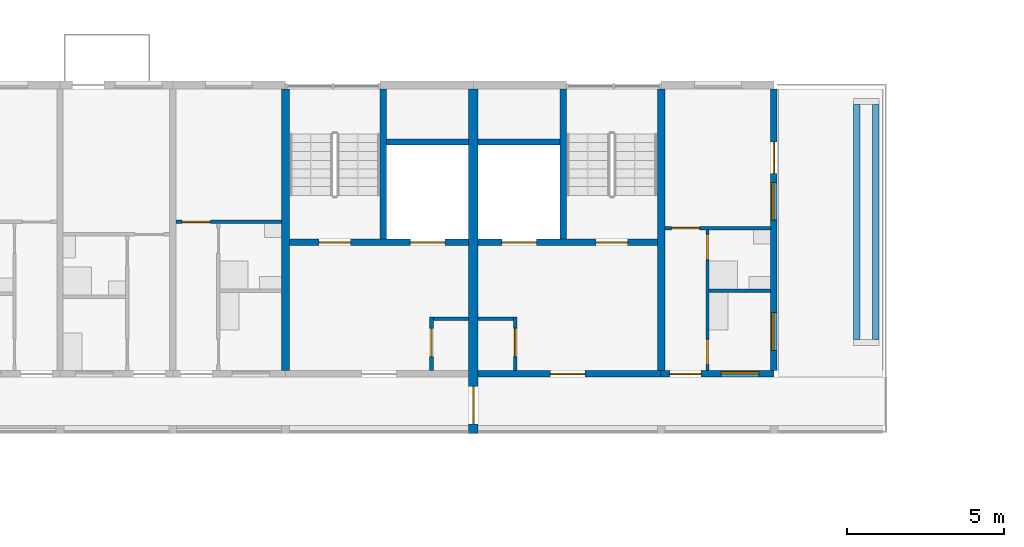
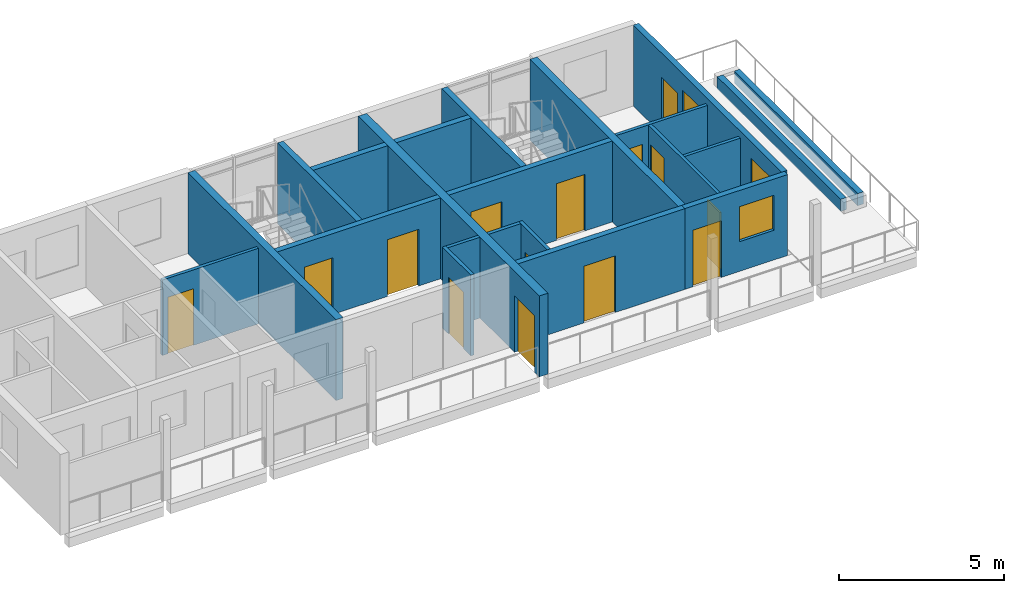
# One storey, part 57 of 94: 22 walls, 14 doors, 3 windows, 17 openings.
"""IFC4 building model written with IfcOpenShell, lengths in metres."""

from ifc_helpers import new_model, si_unit, direction, frame, frame_2d, origin, place, context, subcontext, project, spatial, rectangle, extrude, material, layer, layer_set, type_object, element, fill, save


model = new_model("IFC4")

# Units and contexts
model_context = context("Model", 3, precision=1e-05, world=origin(), true_north=direction((0.0, 1.0)))
body_context = subcontext(model_context, "Body", "Model", "MODEL_VIEW")
ifc_project = project(units=[si_unit("LENGTHUNIT", "METRE"), si_unit("AREAUNIT", "SQUARE_METRE"), si_unit("VOLUMEUNIT", "CUBIC_METRE"), si_unit("PLANEANGLEUNIT", "RADIAN"), si_unit("MASSUNIT", "GRAM", prefix="KILO")], contexts=[model_context])

# Site, building, storey
site_placement = place(None, origin())
site = spatial("IfcSite", under=ifc_project, at=site_placement, CompositionType="ELEMENT")
building_placement = place(site_placement, origin())
building = spatial("IfcBuilding", under=site, at=building_placement, Name="Ridgestep Commons", CompositionType="ELEMENT")
storey_placement = place(building_placement, frame((0.0, 0.0, 24.0)))
storey = spatial("IfcBuildingStorey", under=building, at=storey_placement, Name="L08", CompositionType="ELEMENT", Elevation=24.0)

# Walls
ifc_material_1 = material(Name="Concrete C30/37", Category="concrete")
ifc_layer_1 = layer(ifc_material_1, 0.25)
ifc_layer_set_1 = layer_set([ifc_layer_1], Name="Core cross wall 250")
wall_type_1 = type_object("IfcWallType", Name="Core cross wall 250", PredefinedType="SHEAR", material=ifc_layer_set_1)
for number, where, z_axis, x_axis, name in (
    (1, (224.800048828125, 68.0, 0.0), (0.0, 0.0, 1.0), (0.0, 1.0, 0.0), "Cross wall C-08-2248"),
    (2, (236.800048828125, 68.0, 0.0), (0.0, 0.0, 1.0), (0.0, 1.0, 0.0), "Cross wall C-08-2368"),
):
    element("IfcWall", number, at=place(storey_placement, frame(where, z_axis=z_axis, x_axis=x_axis)), inside=storey, type_object=wall_type_1, Name=name, PredefinedType="SHEAR", context=body_context, shape_type="SweptSolid", body=[
        extrude(rectangle(XDim=9.0, YDim=0.25, at=frame_2d((4.5, 0.0))), origin(), (0.0, 0.0, 1.0), 3.0),
    ])

# Wall, opening, door
ifc_material_2 = material(Name="Concrete C30/37", Category="concrete")
ifc_layer_2 = layer(ifc_material_2, 0.199951171875)
ifc_layer_set_2 = layer_set([ifc_layer_2], Name="Core south wall 200")
wall_type_2 = type_object("IfcWallType", Name="Core south wall 200", PredefinedType="SHEAR", material=ifc_layer_set_2)
wall_1_placement = place(storey_placement, frame((230.949951171875, 67.89990234375, 0.0), z_axis=(0.0, 0.0, 1.0), x_axis=(1.0, 0.0, 0.0)))
wall_1 = element("IfcWall", 3, at=wall_1_placement, inside=storey, type_object=wall_type_2, Name="Core south wall C6C L08", PredefinedType="SHEAR", context=body_context, shape_type="SweptSolid", body=[
    extrude(rectangle(XDim=5.85009765625, YDim=0.199951171875, at=frame_2d((2.925048828125, 0.0))), origin(), (0.0, 0.0, 1.0), 3.0),
])
opening_1_placement = place(wall_1_placement, frame((2.3125, 0.0, 0.0)))
opening_1 = element("IfcOpeningElement", 4, at=opening_1_placement, cuts=wall_1, Name="Opening C6C/08/1", PredefinedType="OPENING", context=body_context, shape_type="SweptSolid", body=[
    extrude(rectangle(XDim=1.10009765625, YDim=2.10009765625, at=frame_2d((0.550048828125, 1.050048828125))), frame((0.0, 0.10986328125, 0.0), z_axis=(0.0, -1.0, 0.0), x_axis=(1.0, 0.0, 0.0)), (0.0, 0.0, 1.0), 0.219970703125),
])
ifc_material_3 = material(Name="Steel fire door", Category="steel")
door_type_1 = type_object("IfcDoorType", Name="Lobby door 1100 x 2100 FD60", OperationType="NOTDEFINED", PredefinedType="DOOR", material=ifc_material_3)
door_1_placement = place(opening_1_placement, origin())
door_1 = element("IfcDoor", 5, at=door_1_placement, inside=storey, type_object=door_type_1, Name="Lobby door C6C/08/1", OperationType="SINGLE_SWING_LEFT", OverallHeight=2.10009765625, OverallWidth=1.10009765625, PredefinedType="DOOR", context=body_context, shape_type="SweptSolid", body=[
    extrude(rectangle(XDim=1.10009765625, YDim=2.10009765625, at=frame_2d((0.550048828125, 1.050048828125))), frame((0.0, 0.02490234375, 0.0), z_axis=(0.0, -1.0, 0.0), x_axis=(1.0, 0.0, 0.0)), (0.0, 0.0, 1.0), 0.050048828125),
])
fill(opening_1, door_1)

ifc_material_4 = material(Name="Concrete C30/37", Category="concrete")
ifc_layer_3 = layer(ifc_material_4, 0.1201171875)
ifc_layer_set_3 = layer_set([ifc_layer_3], Name="Core wall 120")
wall_type_3 = type_object("IfcWallType", Name="Core wall 120", PredefinedType="SHEAR", material=ifc_layer_set_3)
wall_2_placement = place(storey_placement, frame((229.4599609375, 68.0, 0.0), z_axis=(0.0, 0.0, 1.0), x_axis=(0.0, 1.0, 0.0)))
wall_2 = element("IfcWall", 6, at=wall_2_placement, inside=storey, type_object=wall_type_3, Name="Core riser w wall C5C L08", PredefinedType="SHEAR", context=body_context, shape_type="SweptSolid", body=[
    extrude(rectangle(XDim=1.719970703125, YDim=0.1201171875, at=frame_2d((0.85986328125, 0.0))), origin(), (0.0, 0.0, 1.0), 3.0),
])
opening_2_placement = place(wall_2_placement, frame((0.449951171875, 0.0, 0.0)))
opening_2 = element("IfcOpeningElement", 7, at=opening_2_placement, cuts=wall_2, Name="Opening C5C/08/4", PredefinedType="OPENING", context=body_context, shape_type="SweptSolid", body=[
    extrude(rectangle(XDim=0.89990234375, YDim=2.10009765625, at=frame_2d((0.449951171875, 1.050048828125))), frame((0.0, 0.070068359375, 0.0), z_axis=(0.0, -1.0, 0.0), x_axis=(1.0, 0.0, 0.0)), (0.0, 0.0, 1.0), 0.14013671875),
])
ifc_material_5 = material(Name="Steel fire door", Category="steel")
door_type_2 = type_object("IfcDoorType", Name="Riser door 900 x 2100 FD60", OperationType="NOTDEFINED", PredefinedType="DOOR", material=ifc_material_5)
door_2_placement = place(opening_2_placement, origin())
door_2 = element("IfcDoor", 8, at=door_2_placement, inside=storey, type_object=door_type_2, Name="Riser door C5C/08/4", OperationType="SINGLE_SWING_LEFT", OverallHeight=2.10009765625, OverallWidth=0.89990234375, PredefinedType="DOOR", context=body_context, shape_type="SweptSolid", body=[
    extrude(rectangle(XDim=0.89990234375, YDim=2.10009765625, at=frame_2d((0.449951171875, 1.050048828125))), frame((0.0, 0.02490234375, 0.0), z_axis=(0.0, -1.0, 0.0), x_axis=(1.0, 0.0, 0.0)), (0.0, 0.0, 1.0), 0.050048828125),
])
fill(opening_2, door_2)

# Wall
wall_3_placement = place(storey_placement, frame((229.52001953125, 69.659912109375, 0.0), z_axis=(0.0, 0.0, 1.0), x_axis=(1.0, 0.0, 0.0)))
element("IfcWall", 9, at=wall_3_placement, inside=storey, type_object=wall_type_3, Name="Core riser n wall C5C L08", PredefinedType="SHEAR", context=body_context, shape_type="SweptSolid", body=[
    extrude(rectangle(XDim=1.1298828125, YDim=0.1201171875, at=frame_2d((0.56494140625, 0.0))), origin(), (0.0, 0.0, 1.0), 3.0),
])

# Wall, opening, door
wall_4_placement = place(storey_placement, frame((232.139892578125, 68.0, 0.0), z_axis=(0.0, 0.0, 1.0), x_axis=(0.0, 1.0, 0.0)))
wall_4 = element("IfcWall", 10, at=wall_4_placement, inside=storey, type_object=wall_type_3, Name="Core riser w wall C6C L08", PredefinedType="SHEAR", context=body_context, shape_type="SweptSolid", body=[
    extrude(rectangle(XDim=1.719970703125, YDim=0.1201171875, at=frame_2d((0.85986328125, 0.0))), origin(), (0.0, 0.0, 1.0), 3.0),
])
opening_3_placement = place(wall_4_placement, frame((0.449951171875, 0.0, 0.0)))
opening_3 = element("IfcOpeningElement", 11, at=opening_3_placement, cuts=wall_4, Name="Opening C6C/08/4", PredefinedType="OPENING", context=body_context, shape_type="SweptSolid", body=[
    extrude(rectangle(XDim=0.89990234375, YDim=2.10009765625, at=frame_2d((0.449951171875, 1.050048828125))), frame((0.0, 0.070068359375, 0.0), z_axis=(0.0, -1.0, 0.0), x_axis=(1.0, 0.0, 0.0)), (0.0, 0.0, 1.0), 0.14013671875),
])
door_3_placement = place(opening_3_placement, origin())
door_3 = element("IfcDoor", 12, at=door_3_placement, inside=storey, type_object=door_type_2, Name="Riser door C6C/08/4", OperationType="SINGLE_SWING_RIGHT", OverallHeight=2.10009765625, OverallWidth=0.89990234375, PredefinedType="DOOR", context=body_context, shape_type="SweptSolid", body=[
    extrude(rectangle(XDim=0.89990234375, YDim=2.10009765625, at=frame_2d((0.449951171875, 1.050048828125))), frame((0.0, 0.02490234375, 0.0), z_axis=(0.0, -1.0, 0.0), x_axis=(1.0, 0.0, 0.0)), (0.0, 0.0, 1.0), 0.050048828125),
])
fill(opening_3, door_3)

# Wall
wall_5_placement = place(storey_placement, frame((230.949951171875, 69.659912109375, 0.0), z_axis=(0.0, 0.0, 1.0), x_axis=(1.0, 0.0, 0.0)))
element("IfcWall", 13, at=wall_5_placement, inside=storey, type_object=wall_type_3, Name="Core riser n wall C6C L08", PredefinedType="SHEAR", context=body_context, shape_type="SweptSolid", body=[
    extrude(rectangle(XDim=1.130126953125, YDim=0.1201171875, at=frame_2d((0.56494140625, 0.0))), origin(), (0.0, 0.0, 1.0), 3.0),
])

# Wall, openings, doors
ifc_material_6 = material(Name="Concrete C30/37", Category="concrete")
ifc_layer_4 = layer(ifc_material_6, 0.199951171875)
ifc_layer_set_4 = layer_set([ifc_layer_4], Name="Core wall 200")
wall_type_4 = type_object("IfcWallType", Name="Core wall 200", PredefinedType="SHEAR", material=ifc_layer_set_4)
wall_6_placement = place(storey_placement, frame((224.925048828125, 72.10009765625, 0.0), z_axis=(0.0, 0.0, 1.0), x_axis=(1.0, 0.0, 0.0)))
wall_6 = element("IfcWall", 14, at=wall_6_placement, inside=storey, type_object=wall_type_4, Name="Core lobby wall C5C L08", PredefinedType="SHEAR", context=body_context, shape_type="SweptSolid", body=[
    extrude(rectangle(XDim=5.724853515625, YDim=0.199951171875, at=frame_2d((2.8623046875, 0.0))), origin(), (0.0, 0.0, 1.0), 3.0),
])
opening_4_placement = place(wall_6_placement, frame((0.949951171875, 0.0, 0.0)))
opening_4 = element("IfcOpeningElement", 15, at=opening_4_placement, cuts=wall_6, Name="Opening C5C/08/2", PredefinedType="OPENING", context=body_context, shape_type="SweptSolid", body=[
    extrude(rectangle(XDim=1.0, YDim=2.10009765625, at=frame_2d((0.5, 1.050048828125))), frame((0.0, 0.10986328125, 0.0), z_axis=(0.0, -1.0, 0.0), x_axis=(1.0, 0.0, 0.0)), (0.0, 0.0, 1.0), 0.219970703125),
])
opening_5_placement = place(wall_6_placement, frame((3.862548828125, 0.0, 0.0)))
opening_5 = element("IfcOpeningElement", 16, at=opening_5_placement, cuts=wall_6, Name="Opening C5C/08/3", PredefinedType="OPENING", context=body_context, shape_type="SweptSolid", body=[
    extrude(rectangle(XDim=1.10009765625, YDim=2.10009765625, at=frame_2d((0.550048828125, 1.050048828125))), frame((0.0, 0.10986328125, 0.0), z_axis=(0.0, -1.0, 0.0), x_axis=(1.0, 0.0, 0.0)), (0.0, 0.0, 1.0), 0.219970703125),
])
ifc_material_7 = material(Name="Stainless steel", Category="steel")
door_type_3 = type_object("IfcDoorType", Name="Lift landing door 1100 x 2100 FD60", OperationType="DOUBLE_DOOR_SLIDING", PredefinedType="DOOR", material=ifc_material_7)
door_4_placement = place(opening_5_placement, origin())
door_4 = element("IfcDoor", 17, at=door_4_placement, inside=storey, type_object=door_type_3, Name="Landing door LD C5C L08", OperationType="DOUBLE_DOOR_SLIDING", OverallHeight=2.10009765625, OverallWidth=1.10009765625, PredefinedType="DOOR", context=body_context, shape_type="SweptSolid", body=[
    extrude(rectangle(XDim=1.10009765625, YDim=2.10009765625, at=frame_2d((0.550048828125, 1.050048828125))), frame((0.0, 0.02490234375, 0.0), z_axis=(0.0, -1.0, 0.0), x_axis=(1.0, 0.0, 0.0)), (0.0, 0.0, 1.0), 0.050048828125),
])
fill(opening_5, door_4)
ifc_material_8 = material(Name="Steel fire door", Category="steel")
door_type_4 = type_object("IfcDoorType", Name="Stair door 1000 x 2100 FD60", OperationType="NOTDEFINED", PredefinedType="DOOR", material=ifc_material_8)
door_5_placement = place(opening_4_placement, origin())
door_5 = element("IfcDoor", 18, at=door_5_placement, inside=storey, type_object=door_type_4, Name="Stair door C5C/08/2", OperationType="SINGLE_SWING_RIGHT", OverallHeight=2.10009765625, OverallWidth=1.0, PredefinedType="DOOR", context=body_context, shape_type="SweptSolid", body=[
    extrude(rectangle(XDim=1.0, YDim=2.10009765625, at=frame_2d((0.5, 1.050048828125))), frame((0.0, 0.02490234375, 0.0), z_axis=(0.0, -1.0, 0.0), x_axis=(1.0, 0.0, 0.0)), (0.0, 0.0, 1.0), 0.050048828125),
])
fill(opening_4, door_5)

# Walls
wall_7_placement = place(storey_placement, frame((227.925048828125, 72.199951171875, 0.0), z_axis=(0.0, 0.0, 1.0), x_axis=(0.0, 1.0, 0.0)))
element("IfcWall", 19, at=wall_7_placement, inside=storey, type_object=wall_type_4, Name="Core stair wall C5C L08", PredefinedType="SHEAR", context=body_context, shape_type="SweptSolid", body=[
    extrude(rectangle(XDim=4.800048828125, YDim=0.199951171875, at=frame_2d((2.39990234375, 0.0))), origin(), (0.0, 0.0, 1.0), 3.0),
])
wall_8_placement = place(storey_placement, frame((228.02490234375, 75.300048828125, 0.0), z_axis=(0.0, 0.0, 1.0), x_axis=(1.0, 0.0, 0.0)))
element("IfcWall", 20, at=wall_8_placement, inside=storey, type_object=wall_type_4, Name="Core duct wall C5C L08", PredefinedType="SHEAR", context=body_context, shape_type="SweptSolid", body=[
    extrude(rectangle(XDim=2.625, YDim=0.199951171875, at=frame_2d((1.3125, 0.0))), origin(), (0.0, 0.0, 1.0), 3.0),
])

# Wall, openings, doors
wall_9_placement = place(storey_placement, frame((230.949951171875, 72.10009765625, 0.0), z_axis=(0.0, 0.0, 1.0), x_axis=(1.0, 0.0, 0.0)))
wall_9 = element("IfcWall", 21, at=wall_9_placement, inside=storey, type_object=wall_type_4, Name="Core lobby wall C6C L08", PredefinedType="SHEAR", context=body_context, shape_type="SweptSolid", body=[
    extrude(rectangle(XDim=5.72509765625, YDim=0.199951171875, at=frame_2d((2.862548828125, 0.0))), origin(), (0.0, 0.0, 1.0), 3.0),
])
opening_6_placement = place(wall_9_placement, frame((3.77490234375, 0.0, 0.0)))
opening_6 = element("IfcOpeningElement", 22, at=opening_6_placement, cuts=wall_9, Name="Opening C6C/08/2", PredefinedType="OPENING", context=body_context, shape_type="SweptSolid", body=[
    extrude(rectangle(XDim=1.0, YDim=2.10009765625, at=frame_2d((0.5, 1.050048828125))), frame((0.0, 0.10986328125, 0.0), z_axis=(0.0, -1.0, 0.0), x_axis=(1.0, 0.0, 0.0)), (0.0, 0.0, 1.0), 0.219970703125),
])
opening_7_placement = place(wall_9_placement, frame((0.762451171875, 0.0, 0.0)))
opening_7 = element("IfcOpeningElement", 23, at=opening_7_placement, cuts=wall_9, Name="Opening C6C/08/3", PredefinedType="OPENING", context=body_context, shape_type="SweptSolid", body=[
    extrude(rectangle(XDim=1.10009765625, YDim=2.10009765625, at=frame_2d((0.550048828125, 1.050048828125))), frame((0.0, 0.10986328125, 0.0), z_axis=(0.0, -1.0, 0.0), x_axis=(1.0, 0.0, 0.0)), (0.0, 0.0, 1.0), 0.219970703125),
])
door_6_placement = place(opening_7_placement, origin())
door_6 = element("IfcDoor", 24, at=door_6_placement, inside=storey, type_object=door_type_3, Name="Landing door LD C6C L08", OperationType="DOUBLE_DOOR_SLIDING", OverallHeight=2.10009765625, OverallWidth=1.10009765625, PredefinedType="DOOR", context=body_context, shape_type="SweptSolid", body=[
    extrude(rectangle(XDim=1.10009765625, YDim=2.10009765625, at=frame_2d((0.550048828125, 1.050048828125))), frame((0.0, 0.02490234375, 0.0), z_axis=(0.0, -1.0, 0.0), x_axis=(1.0, 0.0, 0.0)), (0.0, 0.0, 1.0), 0.050048828125),
])
fill(opening_7, door_6)
door_7_placement = place(opening_6_placement, origin())
door_7 = element("IfcDoor", 25, at=door_7_placement, inside=storey, type_object=door_type_4, Name="Stair door C6C/08/2", OperationType="SINGLE_SWING_RIGHT", OverallHeight=2.10009765625, OverallWidth=1.0, PredefinedType="DOOR", context=body_context, shape_type="SweptSolid", body=[
    extrude(rectangle(XDim=1.0, YDim=2.10009765625, at=frame_2d((0.5, 1.050048828125))), frame((0.0, 0.02490234375, 0.0), z_axis=(0.0, -1.0, 0.0), x_axis=(1.0, 0.0, 0.0)), (0.0, 0.0, 1.0), 0.050048828125),
])
fill(opening_6, door_7)

# Walls
wall_10_placement = place(storey_placement, frame((233.675048828125, 72.199951171875, 0.0), z_axis=(0.0, 0.0, 1.0), x_axis=(0.0, 1.0, 0.0)))
element("IfcWall", 26, at=wall_10_placement, inside=storey, type_object=wall_type_4, Name="Core stair wall C6C L08", PredefinedType="SHEAR", context=body_context, shape_type="SweptSolid", body=[
    extrude(rectangle(XDim=4.800048828125, YDim=0.199951171875, at=frame_2d((2.39990234375, 0.0))), origin(), (0.0, 0.0, 1.0), 3.0),
])
wall_11_placement = place(storey_placement, frame((230.949951171875, 75.300048828125, 0.0), z_axis=(0.0, 0.0, 1.0), x_axis=(1.0, 0.0, 0.0)))
element("IfcWall", 27, at=wall_11_placement, inside=storey, type_object=wall_type_4, Name="Core duct wall C6C L08", PredefinedType="SHEAR", context=body_context, shape_type="SweptSolid", body=[
    extrude(rectangle(XDim=2.625, YDim=0.199951171875, at=frame_2d((1.3125, 0.0))), origin(), (0.0, 0.0, 1.0), 3.0),
])

# Wall, opening, door
ifc_material_9 = material(Name="Precast concrete C40/50", Category="concrete")
ifc_layer_5 = layer(ifc_material_9, 0.300048828125)
ifc_layer_set_5 = layer_set([ifc_layer_5], Name="Division wall 300")
wall_type_5 = type_object("IfcWallType", Name="Division wall 300", PredefinedType="SHEAR", material=ifc_layer_set_5)
wall_12_placement = place(storey_placement, frame((230.800048828125, 66.0, 0.0), z_axis=(0.0, 0.0, 1.0), x_axis=(0.0, 1.0, 0.0)))
wall_12 = element("IfcWall", 28, at=wall_12_placement, inside=storey, type_object=wall_type_5, Name="Cross wall C-08-2308", PredefinedType="SHEAR", context=body_context, shape_type="SweptSolid", body=[
    extrude(rectangle(XDim=11.0, YDim=0.300048828125, at=frame_2d((5.5, 0.0))), origin(), (0.0, 0.0, 1.0), 3.0),
])
opening_8_placement = place(wall_12_placement, frame((0.300048828125, 0.0, 0.0)))
opening_8 = element("IfcOpeningElement", 29, at=opening_8_placement, cuts=wall_12, Name="Opening C/08/G2308", PredefinedType="OPENING", context=body_context, shape_type="SweptSolid", body=[
    extrude(rectangle(XDim=1.199951171875, YDim=2.10009765625, at=frame_2d((0.60009765625, 1.050048828125))), frame((0.0, 0.159912109375, 0.0), z_axis=(0.0, -1.0, 0.0), x_axis=(1.0, 0.0, 0.0)), (0.0, 0.0, 1.0), 0.320068359375),
])
ifc_material_10 = material(Name="Steel fire door", Category="steel")
door_type_5 = type_object("IfcDoorType", Name="Division fire door 1200 x 2100 EI 240", OperationType="DOUBLE_DOOR_SINGLE_SWING", PredefinedType="DOOR", material=ifc_material_10)
door_8_placement = place(opening_8_placement, origin())
door_8 = element("IfcDoor", 30, at=door_8_placement, inside=storey, type_object=door_type_5, Name="Division fire door C/08/G2308", OperationType="DOUBLE_DOOR_SINGLE_SWING", OverallHeight=2.10009765625, OverallWidth=1.199951171875, PredefinedType="DOOR", context=body_context, shape_type="SweptSolid", body=[
    extrude(rectangle(XDim=1.199951171875, YDim=2.10009765625, at=frame_2d((0.60009765625, 1.050048828125))), frame((0.0, 0.02490234375, 0.0), z_axis=(0.0, -1.0, 0.0), x_axis=(1.0, 0.0, 0.0)), (0.0, 0.0, 1.0), 0.050048828125),
])
fill(opening_8, door_8)

# Wall, openings, windows, door
ifc_material_11 = material(Name="Precast concrete C40/50", Category="concrete")
ifc_layer_6 = layer(ifc_material_11, 0.199951171875)
ifc_layer_set_6 = layer_set([ifc_layer_6], Name="Exposed cross wall 200")
wall_type_6 = type_object("IfcWallType", Name="Exposed cross wall 200", PredefinedType="SHEAR", material=ifc_layer_set_6)
wall_13_placement = place(storey_placement, frame((240.39990234375, 68.0, 0.0), z_axis=(0.0, 0.0, 1.0), x_axis=(0.0, 1.0, 0.0)))
wall_13 = element("IfcWall", 31, at=wall_13_placement, inside=storey, type_object=wall_type_6, Name="Cross wall C-08-2404", PredefinedType="SHEAR", context=body_context, shape_type="SweptSolid", body=[
    extrude(rectangle(XDim=9.0, YDim=0.199951171875, at=frame_2d((4.5, 0.0))), origin(), (0.0, 0.0, 1.0), 3.0),
])
opening_9_placement = place(wall_13_placement, frame((0.64990234375, 0.0, 0.89990234375)))
opening_9 = element("IfcOpeningElement", 32, at=opening_9_placement, cuts=wall_13, Name="Opening W10", PredefinedType="OPENING", context=body_context, shape_type="SweptSolid", body=[
    extrude(rectangle(XDim=1.199951171875, YDim=1.5, at=frame_2d((0.60009765625, 0.75))), frame((0.0, 0.10986328125, 0.0), z_axis=(0.0, -1.0, 0.0), x_axis=(1.0, 0.0, 0.0)), (0.0, 0.0, 1.0), 0.219970703125),
])
opening_10_placement = place(wall_13_placement, frame((4.8076171875, 0.0, 0.89990234375)))
opening_10 = element("IfcOpeningElement", 33, at=opening_10_placement, cuts=wall_13, Name="Opening W10", PredefinedType="OPENING", context=body_context, shape_type="SweptSolid", body=[
    extrude(rectangle(XDim=1.199951171875, YDim=1.5, at=frame_2d((0.60009765625, 0.75))), frame((0.0, 0.10986328125, 0.0), z_axis=(0.0, -1.0, 0.0), x_axis=(1.0, 0.0, 0.0)), (0.0, 0.0, 1.0), 0.219970703125),
])
opening_11_placement = place(wall_13_placement, frame((6.304931640625, 0.0, 0.0)))
opening_11 = element("IfcOpeningElement", 34, at=opening_11_placement, cuts=wall_13, Name="Opening C6-08a/5", PredefinedType="OPENING", context=body_context, shape_type="SweptSolid", body=[
    extrude(rectangle(XDim=1.0, YDim=2.10009765625, at=frame_2d((0.5, 1.050048828125))), frame((0.0, 0.10986328125, 0.0), z_axis=(0.0, -1.0, 0.0), x_axis=(1.0, 0.0, 0.0)), (0.0, 0.0, 1.0), 0.219970703125),
])
ifc_material_12 = material(Name="Aluminium 6063-T6 and glass", Category="aluminium")
window_type_1 = type_object("IfcWindowType", Name="Flat window 1200 x 1500", PartitioningType="SINGLE_PANEL", PredefinedType="WINDOW", material=ifc_material_12)
window_1_placement = place(opening_9_placement, origin())
window_1 = element("IfcWindow", 35, at=window_1_placement, inside=storey, type_object=window_type_1, Name="Window C6-08a 3", OverallHeight=1.5, OverallWidth=1.199951171875, PartitioningType="SINGLE_PANEL", PredefinedType="WINDOW", context=body_context, shape_type="SweptSolid", body=[
    extrude(rectangle(XDim=1.199951171875, YDim=1.5, at=frame_2d((0.60009765625, 0.75))), frame((0.0, 0.06005859375, 0.0), z_axis=(0.0, -1.0, 0.0), x_axis=(1.0, 0.0, 0.0)), (0.0, 0.0, 1.0), 0.06005859375),
])
fill(opening_9, window_1)
window_2_placement = place(opening_10_placement, origin())
window_2 = element("IfcWindow", 36, at=window_2_placement, inside=storey, type_object=window_type_1, Name="Window C6-08a 4", OverallHeight=1.5, OverallWidth=1.199951171875, PartitioningType="SINGLE_PANEL", PredefinedType="WINDOW", context=body_context, shape_type="SweptSolid", body=[
    extrude(rectangle(XDim=1.199951171875, YDim=1.5, at=frame_2d((0.60009765625, 0.75))), frame((0.0, 0.06005859375, 0.0), z_axis=(0.0, -1.0, 0.0), x_axis=(1.0, 0.0, 0.0)), (0.0, 0.0, 1.0), 0.06005859375),
])
fill(opening_10, window_2)
ifc_material_13 = material(Name="Aluminium and glass", Category="aluminium")
door_type_6 = type_object("IfcDoorType", Name="Terrace door 1000 x 2100", OperationType="NOTDEFINED", PredefinedType="DOOR", material=ifc_material_13)
door_9_placement = place(opening_11_placement, origin())
door_9 = element("IfcDoor", 37, at=door_9_placement, inside=storey, type_object=door_type_6, Name="Terrace door C6-08a/5", OperationType="SINGLE_SWING_LEFT", OverallHeight=2.10009765625, OverallWidth=1.0, PredefinedType="DOOR", context=body_context, shape_type="SweptSolid", body=[
    extrude(rectangle(XDim=1.0, YDim=2.10009765625, at=frame_2d((0.5, 1.050048828125))), frame((0.0, 0.02490234375, 0.0), z_axis=(0.0, -1.0, 0.0), x_axis=(1.0, 0.0, 0.0)), (0.0, 0.0, 1.0), 0.050048828125),
])
fill(opening_11, door_9)

# Wall, opening, door
ifc_material_14 = material(Name="Common brick 110 mm", Category="masonry")
ifc_layer_7 = layer(ifc_material_14, 0.110107421875)
ifc_layer_set_7 = layer_set([ifc_layer_7], Name="Partition 110")
wall_type_7 = type_object("IfcWallType", Name="Partition 110", PredefinedType="PARTITIONING", material=ifc_layer_set_7)
wall_14_placement = place(storey_placement, frame((221.300048828125, 72.7548828125, 0.0), z_axis=(0.0, 0.0, 1.0), x_axis=(1.0, 0.0, 0.0)))
wall_14 = element("IfcWall", 38, at=wall_14_placement, inside=storey, type_object=wall_type_7, Name="Partition C5-08c", PredefinedType="PARTITIONING", context=body_context, shape_type="SweptSolid", body=[
    extrude(rectangle(XDim=3.375, YDim=0.110107421875, at=frame_2d((1.6875, 0.0))), origin(), (0.0, 0.0, 1.0), 2.800048828125),
])
opening_12_placement = place(wall_14_placement, frame((0.199951171875, 0.0, 0.0)))
opening_12 = element("IfcOpeningElement", 39, at=opening_12_placement, cuts=wall_14, Name="Opening C5-08c/4", PredefinedType="OPENING", context=body_context, shape_type="SweptSolid", body=[
    extrude(rectangle(XDim=0.89990234375, YDim=2.10009765625, at=frame_2d((0.449951171875, 1.050048828125))), frame((0.0, 0.06494140625, 0.0), z_axis=(0.0, -1.0, 0.0), x_axis=(1.0, 0.0, 0.0)), (0.0, 0.0, 1.0), 0.130126953125),
])
ifc_material_15 = material(Name="Timber door leaf", Category="wood")
door_type_7 = type_object("IfcDoorType", Name="Internal door 900 x 2100", OperationType="NOTDEFINED", PredefinedType="DOOR", material=ifc_material_15)
door_10_placement = place(opening_12_placement, origin())
door_10 = element("IfcDoor", 40, at=door_10_placement, inside=storey, type_object=door_type_7, Name="Internal door C5-08c/4", OperationType="SINGLE_SWING_LEFT", OverallHeight=2.10009765625, OverallWidth=0.89990234375, PredefinedType="DOOR", context=body_context, shape_type="SweptSolid", body=[
    extrude(rectangle(XDim=0.89990234375, YDim=2.10009765625, at=frame_2d((0.449951171875, 1.050048828125))), frame((0.0, 0.02490234375, 0.0), z_axis=(0.0, -1.0, 0.0), x_axis=(1.0, 0.0, 0.0)), (0.0, 0.0, 1.0), 0.050048828125),
])
fill(opening_12, door_10)

# Wall, openings, doors
wall_15_placement = place(storey_placement, frame((238.280029296875, 68.0, 0.0), z_axis=(0.0, 0.0, 1.0), x_axis=(0.0, 1.0, 0.0)))
wall_15 = element("IfcWall", 41, at=wall_15_placement, inside=storey, type_object=wall_type_7, Name="Partition C6-08a", PredefinedType="PARTITIONING", context=body_context, shape_type="SweptSolid", body=[
    extrude(rectangle(XDim=4.5, YDim=0.110107421875, at=frame_2d((2.25, 0.0))), origin(), (0.0, 0.0, 1.0), 2.75),
])
opening_13_placement = place(wall_15_placement, frame((0.199951171875, 0.0, 0.0)))
opening_13 = element("IfcOpeningElement", 42, at=opening_13_placement, cuts=wall_15, Name="Opening C6-08a/2", PredefinedType="OPENING", context=body_context, shape_type="SweptSolid", body=[
    extrude(rectangle(XDim=0.800048828125, YDim=2.10009765625, at=frame_2d((0.39990234375, 1.050048828125))), frame((0.0, 0.06494140625, 0.0), z_axis=(0.0, -1.0, 0.0), x_axis=(1.0, 0.0, 0.0)), (0.0, 0.0, 1.0), 0.130126953125),
])
opening_14_placement = place(wall_15_placement, frame((3.550048828125, 0.0, 0.0)))
opening_14 = element("IfcOpeningElement", 43, at=opening_14_placement, cuts=wall_15, Name="Opening C6-08a/3", PredefinedType="OPENING", context=body_context, shape_type="SweptSolid", body=[
    extrude(rectangle(XDim=0.800048828125, YDim=2.10009765625, at=frame_2d((0.39990234375, 1.050048828125))), frame((0.0, 0.06494140625, 0.0), z_axis=(0.0, -1.0, 0.0), x_axis=(1.0, 0.0, 0.0)), (0.0, 0.0, 1.0), 0.130126953125),
])
ifc_material_16 = material(Name="Timber door leaf", Category="wood")
door_type_8 = type_object("IfcDoorType", Name="Internal door 800 x 2100", OperationType="NOTDEFINED", PredefinedType="DOOR", material=ifc_material_16)
door_11_placement = place(opening_13_placement, origin())
door_11 = element("IfcDoor", 44, at=door_11_placement, inside=storey, type_object=door_type_8, Name="Internal door C6-08a/2", OperationType="SINGLE_SWING_RIGHT", OverallHeight=2.10009765625, OverallWidth=0.800048828125, PredefinedType="DOOR", context=body_context, shape_type="SweptSolid", body=[
    extrude(rectangle(XDim=0.800048828125, YDim=2.10009765625, at=frame_2d((0.39990234375, 1.050048828125))), frame((0.0, 0.02490234375, 0.0), z_axis=(0.0, -1.0, 0.0), x_axis=(1.0, 0.0, 0.0)), (0.0, 0.0, 1.0), 0.050048828125),
])
fill(opening_13, door_11)
door_12_placement = place(opening_14_placement, origin())
door_12 = element("IfcDoor", 45, at=door_12_placement, inside=storey, type_object=door_type_8, Name="Internal door C6-08a/3", OperationType="SINGLE_SWING_LEFT", OverallHeight=2.10009765625, OverallWidth=0.800048828125, PredefinedType="DOOR", context=body_context, shape_type="SweptSolid", body=[
    extrude(rectangle(XDim=0.800048828125, YDim=2.10009765625, at=frame_2d((0.39990234375, 1.050048828125))), frame((0.0, 0.02490234375, 0.0), z_axis=(0.0, -1.0, 0.0), x_axis=(1.0, 0.0, 0.0)), (0.0, 0.0, 1.0), 0.050048828125),
])
fill(opening_14, door_12)

# Wall
wall_16_placement = place(storey_placement, frame((238.3349609375, 70.554931640625, 0.0), z_axis=(0.0, 0.0, 1.0), x_axis=(1.0, 0.0, 0.0)))
element("IfcWall", 46, at=wall_16_placement, inside=storey, type_object=wall_type_7, Name="Partition C6-08a", PredefinedType="PARTITIONING", context=body_context, shape_type="SweptSolid", body=[
    extrude(rectangle(XDim=1.965087890625, YDim=0.110107421875, at=frame_2d((0.982421875, 0.0))), origin(), (0.0, 0.0, 1.0), 2.75),
])

# Wall, opening, door
wall_17_placement = place(storey_placement, frame((236.925048828125, 72.554931640625, 0.0), z_axis=(0.0, 0.0, 1.0), x_axis=(1.0, 0.0, 0.0)))
wall_17 = element("IfcWall", 47, at=wall_17_placement, inside=storey, type_object=wall_type_7, Name="Partition C6-08a", PredefinedType="PARTITIONING", context=body_context, shape_type="SweptSolid", body=[
    extrude(rectangle(XDim=3.375, YDim=0.110107421875, at=frame_2d((1.6875, 0.0))), origin(), (0.0, 0.0, 1.0), 2.75),
])
opening_15_placement = place(wall_17_placement, frame((0.199951171875, 0.0, 0.0)))
opening_15 = element("IfcOpeningElement", 48, at=opening_15_placement, cuts=wall_17, Name="Opening C6-08a/4", PredefinedType="OPENING", context=body_context, shape_type="SweptSolid", body=[
    extrude(rectangle(XDim=0.89990234375, YDim=2.10009765625, at=frame_2d((0.449951171875, 1.050048828125))), frame((0.0, 0.06494140625, 0.0), z_axis=(0.0, -1.0, 0.0), x_axis=(1.0, 0.0, 0.0)), (0.0, 0.0, 1.0), 0.130126953125),
])
door_13_placement = place(opening_15_placement, origin())
door_13 = element("IfcDoor", 49, at=door_13_placement, inside=storey, type_object=door_type_7, Name="Internal door C6-08a/4", OperationType="SINGLE_SWING_LEFT", OverallHeight=2.10009765625, OverallWidth=0.89990234375, PredefinedType="DOOR", context=body_context, shape_type="SweptSolid", body=[
    extrude(rectangle(XDim=0.89990234375, YDim=2.10009765625, at=frame_2d((0.449951171875, 1.050048828125))), frame((0.0, 0.02490234375, 0.0), z_axis=(0.0, -1.0, 0.0), x_axis=(1.0, 0.0, 0.0)), (0.0, 0.0, 1.0), 0.050048828125),
])
fill(opening_15, door_13)

# Walls
ifc_material_17 = material(Name="Facing brick", Category="masonry")
ifc_layer_8 = layer(ifc_material_17, 0.199951171875)
ifc_layer_set_8 = layer_set([ifc_layer_8], Name="Planter wall 200")
wall_type_8 = type_object("IfcWallType", Name="Planter wall 200", PredefinedType="SOLIDWALL", material=ifc_layer_set_8)
for number, where, z_axis, x_axis, name in (
    (50, (243.050048828125, 69.0, 0.010009765625), (0.0, 0.0, 1.0), (0.0, 1.0, 0.0), "Planter wall C6R2W"),
    (51, (243.64990234375, 69.0, 0.010009765625), (0.0, 0.0, 1.0), (0.0, 1.0, 0.0), "Planter wall C6R2E"),
):
    element("IfcWall", number, at=place(storey_placement, frame(where, z_axis=z_axis, x_axis=x_axis)), inside=storey, type_object=wall_type_8, Name=name, PredefinedType="SOLIDWALL", context=body_context, shape_type="SweptSolid", body=[
        extrude(rectangle(XDim=7.5, YDim=0.199951171875, at=frame_2d((3.75, 0.0))), origin(), (0.0, 0.0, 1.0), 0.449951171875),
    ])

# Wall, openings, door, window
ifc_material_18 = material(Name="Precast concrete C40/50", Category="concrete")
ifc_layer_9 = layer(ifc_material_18, 0.199951171875)
ifc_layer_set_9 = layer_set([ifc_layer_9], Name="South facade panel 200")
wall_type_9 = type_object("IfcWallType", Name="South facade panel 200", PredefinedType="SOLIDWALL", material=ifc_layer_set_9)
wall_18_placement = place(storey_placement, frame((236.800048828125, 67.89990234375, 0.0), z_axis=(0.0, 0.0, 1.0), x_axis=(1.0, 0.0, 0.0)))
wall_18 = element("IfcWall", 52, at=wall_18_placement, inside=storey, type_object=wall_type_9, Name="South panel C6T3 L08", PredefinedType="SOLIDWALL", context=body_context, shape_type="SweptSolid", body=[
    extrude(rectangle(XDim=3.599853515625, YDim=0.199951171875, at=frame_2d((1.7998046875, 0.0))), origin(), (0.0, 0.0, 1.0), 3.0),
])
opening_16_placement = place(wall_18_placement, frame((1.91748046875, 0.0, 1.10009765625)))
opening_16 = element("IfcOpeningElement", 53, at=opening_16_placement, cuts=wall_18, Name="Opening W08", PredefinedType="OPENING", context=body_context, shape_type="SweptSolid", body=[
    extrude(rectangle(XDim=1.199951171875, YDim=1.300048828125, at=frame_2d((0.60009765625, 0.64990234375))), frame((0.0, 0.10986328125, 0.0), z_axis=(0.0, -1.0, 0.0), x_axis=(1.0, 0.0, 0.0)), (0.0, 0.0, 1.0), 0.219970703125),
])
opening_17_placement = place(wall_18_placement, frame((0.27490234375, 0.0, 0.0)))
opening_17 = element("IfcOpeningElement", 54, at=opening_17_placement, cuts=wall_18, Name="Opening C6-08a/1", PredefinedType="OPENING", context=body_context, shape_type="SweptSolid", body=[
    extrude(rectangle(XDim=1.0, YDim=2.10009765625, at=frame_2d((0.5, 1.050048828125))), frame((0.0, 0.10986328125, 0.0), z_axis=(0.0, -1.0, 0.0), x_axis=(1.0, 0.0, 0.0)), (0.0, 0.0, 1.0), 0.219970703125),
])
ifc_material_19 = material(Name="Timber door leaf", Category="wood")
door_type_9 = type_object("IfcDoorType", Name="Flat entrance door 1000 x 2100 FD30S", OperationType="NOTDEFINED", PredefinedType="DOOR", material=ifc_material_19)
door_14_placement = place(opening_17_placement, origin())
door_14 = element("IfcDoor", 55, at=door_14_placement, inside=storey, type_object=door_type_9, Name="Flat entrance door C6-08a/1", OperationType="SINGLE_SWING_LEFT", OverallHeight=2.10009765625, OverallWidth=1.0, PredefinedType="DOOR", context=body_context, shape_type="SweptSolid", body=[
    extrude(rectangle(XDim=1.0, YDim=2.10009765625, at=frame_2d((0.5, 1.050048828125))), frame((0.0, 0.02490234375, 0.0), z_axis=(0.0, -1.0, 0.0), x_axis=(1.0, 0.0, 0.0)), (0.0, 0.0, 1.0), 0.050048828125),
])
fill(opening_17, door_14)
ifc_material_20 = material(Name="Aluminium 6063-T6 and glass", Category="aluminium")
window_type_2 = type_object("IfcWindowType", Name="Flat window 1200 x 1300", PartitioningType="SINGLE_PANEL", PredefinedType="WINDOW", material=ifc_material_20)
window_3_placement = place(opening_16_placement, origin())
window_3 = element("IfcWindow", 56, at=window_3_placement, inside=storey, type_object=window_type_2, Name="Window C6-08a 1", OverallHeight=1.300048828125, OverallWidth=1.199951171875, PartitioningType="SINGLE_PANEL", PredefinedType="WINDOW", context=body_context, shape_type="SweptSolid", body=[
    extrude(rectangle(XDim=1.199951171875, YDim=1.300048828125, at=frame_2d((0.60009765625, 0.64990234375))), frame((0.0, 0.06005859375, 0.0), z_axis=(0.0, -1.0, 0.0), x_axis=(1.0, 0.0, 0.0)), (0.0, 0.0, 1.0), 0.06005859375),
])
fill(opening_16, window_3)

save(model, "model.ifc")
